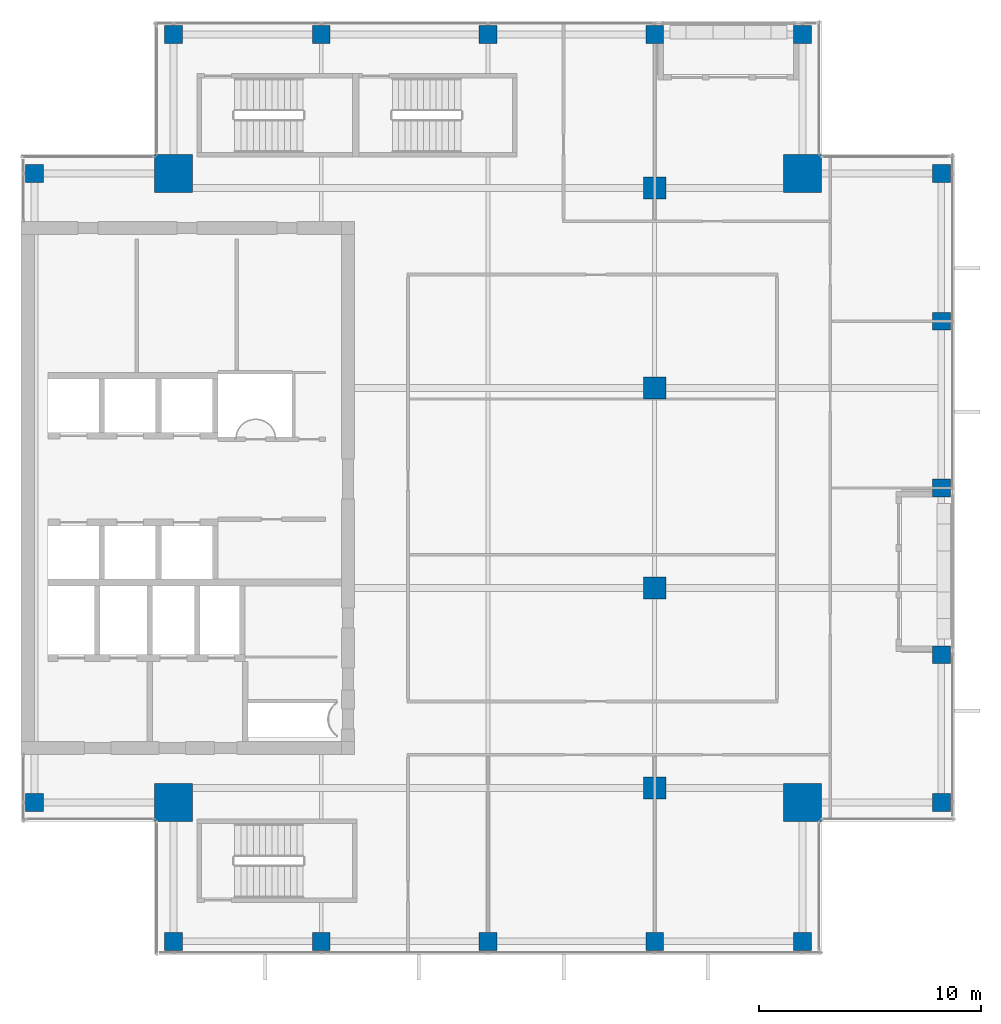
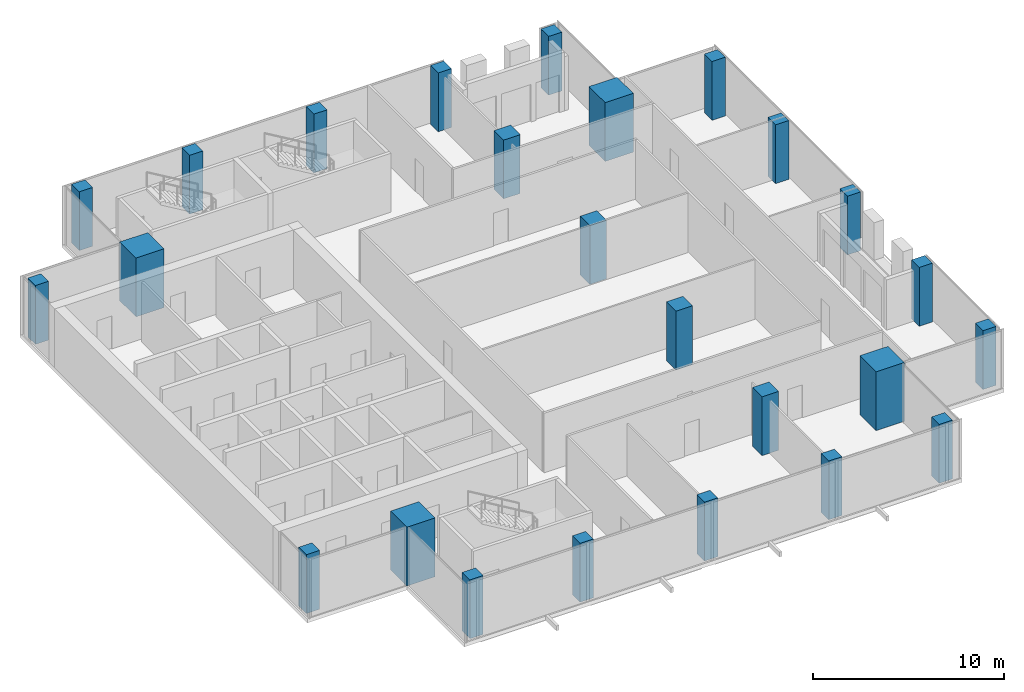
# One storey, part 1 of 29: 25 columns.
"""IFC4 building model written with IfcOpenShell, lengths in metres."""

import ifcopenshell
import ifcopenshell.guid

model = None  # the IFC model being written
_history = None  # IfcOwnerHistory: only IFC2X3 demands one
_inside = {}  # id of a spatial element -> (the spatial element, [elements in it])
_under = {}  # id of a project, library or spatial element -> (it, [spatial elements below it])
_declared = {}  # id of a project -> (the project, [libraries it declares])
_typed = {}  # id of a type object -> (the type object, [elements of that type])
_made_of = {}  # id of a material, layer set ... -> (it, [elements and type objects made of it])


def new_model(schema):
    """Start an empty IFC model of exactly this schema.

    Asked for "IFC4X3", IfcOpenShell would pick the latest addendum, in which some entities
    have other attributes; the version numbers below select the first issue.
    IFC2X3 requires an IfcOwnerHistory on every rooted entity: one is made here for all.
    """
    global model, _history
    if schema == "IFC4X3":
        model = ifcopenshell.file(schema_version=(4, 3, 0, 0))
    else:
        model = ifcopenshell.file(schema=schema)
    _inside.clear()
    _under.clear()
    _declared.clear()
    _typed.clear()
    _made_of.clear()
    _history = None
    if model.schema == "IFC2X3":
        org = make("IfcOrganization", Name="unknown")
        user = make(
            "IfcPersonAndOrganization",
            ThePerson=make("IfcPerson", FamilyName="unknown"),
            TheOrganization=org,
        )
        app = make(
            "IfcApplication",
            ApplicationDeveloper=org,
            Version="unknown",
            ApplicationFullName="unknown",
            ApplicationIdentifier="unknown",
        )
        _history = make(
            "IfcOwnerHistory",
            OwningUser=user,
            OwningApplication=app,
            ChangeAction="ADDED",
            CreationDate=0,
        )
    return model


def make(cls, **values):
    """One entity of the class cls with the attributes given. An attribute that is None is left unset."""
    return model.create_entity(
        cls, **{name: value for name, value in values.items() if value is not None}
    )


def rooted(cls, **values):
    """An entity with a GlobalId (a new one), such as an element, a storey or a relation."""
    return make(cls, GlobalId=ifcopenshell.guid.new(), OwnerHistory=_history, **values)


def si_unit(unit_type, name, prefix=None):
    """IfcSIUnit, for example si_unit("LENGTHUNIT", "METRE", prefix="MILLI")."""
    return make("IfcSIUnit", UnitType=unit_type, Prefix=prefix, Name=name)


def assignment(units):
    """IfcUnitAssignment: the units of a project."""
    return None if units is None else make("IfcUnitAssignment", Units=units)


def point(xyz):
    """IfcCartesianPoint."""
    return None if xyz is None else make("IfcCartesianPoint", Coordinates=xyz)


def direction(xyz):
    """IfcDirection."""
    return None if xyz is None else make("IfcDirection", DirectionRatios=xyz)


def frame(location, z_axis=None, x_axis=None):
    """IfcAxis2Placement3D, a coordinate frame: its origin and axes. An axis left out is left unset."""
    return make(
        "IfcAxis2Placement3D",
        Location=point(location),
        Axis=direction(z_axis),
        RefDirection=direction(x_axis),
    )


def frame_2d(location, x_axis=None):
    """IfcAxis2Placement2D, a coordinate frame in the plane: its origin and x axis."""
    return make(
        "IfcAxis2Placement2D", Location=point(location), RefDirection=direction(x_axis)
    )


def origin():
    """The frame at (0, 0, 0) with its axes left unset."""
    return frame((0.0, 0.0, 0.0))


def origin_2d():
    """The frame at (0, 0) in the plane with its x axis left unset."""
    return frame_2d((0.0, 0.0))


def place(relative_to, where):
    """IfcLocalPlacement: puts the frame where relative to a parent placement (None: the world)."""
    return make(
        "IfcLocalPlacement", PlacementRelTo=relative_to, RelativePlacement=where
    )


def context(
    kind, dimensions, precision=None, world=None, true_north=None, identifier=None
):
    """IfcGeometricRepresentationContext, for example the 3D "Model" context."""
    return make(
        "IfcGeometricRepresentationContext",
        ContextIdentifier=identifier,
        ContextType=kind,
        CoordinateSpaceDimension=dimensions,
        Precision=precision,
        WorldCoordinateSystem=world,
        TrueNorth=true_north,
    )


def subcontext(parent, identifier, kind, view, scale=None):
    """IfcGeometricRepresentationSubContext, for example "Body" below "Model"."""
    return make(
        "IfcGeometricRepresentationSubContext",
        ContextIdentifier=identifier,
        ContextType=kind,
        ParentContext=parent,
        TargetScale=scale,
        TargetView=view,
    )


def project(units=None, contexts=None):
    """IfcProject with its units and contexts."""
    return rooted(
        "IfcProject",
        Name="project",
        RepresentationContexts=contexts,
        UnitsInContext=assignment(units),
    )


def spatial(cls, under=None, at=None, **own):
    """A site, building, storey or space (cls), placed at a placement, below another one or the project."""
    s = rooted(cls, ObjectPlacement=at, **own)
    if under is not None:
        _under.setdefault(under.id(), (under, []))[1].append(s)
    return s


def profile(cls, at=None, kind="AREA", **sizes):
    """A parametric profile (cls). Its sizes go by their IFC names, for example OverallWidth=200.0."""
    return make(cls, ProfileType=kind, Position=at, **sizes)


def rectangle(**sizes):
    """IfcRectangleProfileDef."""
    return profile("IfcRectangleProfileDef", **sizes)


def extrude(swept, where, along, depth):
    """IfcExtrudedAreaSolid: the profile swept, set in the frame where, extruded along a direction by depth."""
    return make(
        "IfcExtrudedAreaSolid",
        SweptArea=swept,
        Position=where,
        ExtrudedDirection=direction(along),
        Depth=depth,
    )


def shape(context_of_items, identifier, shape_type, items):
    """IfcShapeRepresentation: the items that make up one representation, for example the "Body"."""
    return make(
        "IfcShapeRepresentation",
        ContextOfItems=context_of_items,
        RepresentationIdentifier=identifier,
        RepresentationType=shape_type,
        Items=items,
    )


def source(mapping_origin, context_of_items, identifier, shape_type, items):
    """IfcRepresentationMap: a shape defined once, which mapped items show again and again."""
    return make(
        "IfcRepresentationMap",
        MappingOrigin=mapping_origin,
        MappedRepresentation=shape(context_of_items, identifier, shape_type, items),
    )


def transform(
    local_origin,
    x_axis=None,
    y_axis=None,
    z_axis=None,
    scale=None,
    scale2=None,
    scale3=None,
    uniform=True,
):
    """IfcCartesianTransformationOperator3D, or its non-uniform kind. x_axis, y_axis, z_axis: its Axis1, 2, 3."""
    if uniform:
        return make(
            "IfcCartesianTransformationOperator3D",
            Axis1=direction(x_axis),
            Axis2=direction(y_axis),
            LocalOrigin=point(local_origin),
            Scale=scale,
            Axis3=direction(z_axis),
        )
    return make(
        "IfcCartesianTransformationOperator3DnonUniform",
        Axis1=direction(x_axis),
        Axis2=direction(y_axis),
        LocalOrigin=point(local_origin),
        Scale=scale,
        Axis3=direction(z_axis),
        Scale2=scale2,
        Scale3=scale3,
    )


def mapped(mapping_source, mapping_target):
    """IfcMappedItem: shows the shape of a source again, moved by a transform."""
    return make(
        "IfcMappedItem", MappingSource=mapping_source, MappingTarget=mapping_target
    )


def material(Name=None, Category=None):
    """IfcMaterial."""
    return make("IfcMaterial", Name=Name, Category=Category)


def material_profile(
    of_material, cross_section, Name=None, Category=None, Priority=None
):
    """IfcMaterialProfile: a cross section and its material."""
    return make(
        "IfcMaterialProfile",
        Name=Name,
        Material=of_material,
        Profile=cross_section,
        Priority=Priority,
        Category=Category,
    )


def profile_set(profiles, Name=None, composite=None):
    """IfcMaterialProfileSet."""
    return make(
        "IfcMaterialProfileSet",
        Name=Name,
        MaterialProfiles=profiles,
        CompositeProfile=composite,
    )


def made_of(thing, what):
    """Note that an element or type object is made of a material, layer set ...; save() writes the relation."""
    if what is not None:
        _made_of.setdefault(what.id(), (what, []))[1].append(thing)
    return thing


def type_object(cls, material=None, **own):
    """A type object (cls), such as IfcWallType, which elements share."""
    return made_of(rooted(cls, **own), material)


def element(
    cls,
    number,
    at=None,
    inside=None,
    cuts=None,
    type_object=None,
    material=None,
    context=None,
    identifier="Body",
    shape_type=None,
    held_by="IfcProductDefinitionShape",
    body=None,
    shapes=None,
    **own,
):
    """One element of the class cls, such as IfcWall. Its Tag is "e" and its number.

    at: its placement. inside: the storey or other place that contains it. cuts: it is an
    opening in that element (IfcRelVoidsElement). A single representation is given by context,
    identifier, shape_type and body (its items); several are given by shapes. held_by: the class
    of the entity that holds the representations. save() writes the other relations.
    """
    e = rooted(cls, Tag="e%d" % number, ObjectPlacement=at, **own)
    if body is not None:
        shapes = [shape(context, identifier, shape_type, body)]
    if shapes is not None:
        e.Representation = make(held_by, Representations=shapes)
    if inside is not None:
        _inside.setdefault(inside.id(), (inside, []))[1].append(e)
    if cuts is not None:
        rooted(
            "IfcRelVoidsElement", RelatingBuildingElement=cuts, RelatedOpeningElement=e
        )
    if type_object is not None:
        _typed.setdefault(type_object.id(), (type_object, []))[1].append(e)
    return made_of(e, material)


def aggregate(whole, parts):
    """IfcRelAggregates: a whole, such as a stair, and the parts it consists of."""
    return rooted("IfcRelAggregates", RelatingObject=whole, RelatedObjects=parts)


def save(model, path):
    """Write the relations noted so far, then the file.

    IfcRelAggregates (storeys below a building ...), IfcRelContainedInSpatialStructure (elements
    in a storey), IfcRelDefinesByType, IfcRelAssociatesMaterial and IfcRelDeclares: one each for
    every whole, place, type object, material and project.
    """
    for whole, parts in _under.values():
        aggregate(whole, parts)
    for where, things in _inside.values():
        rooted(
            "IfcRelContainedInSpatialStructure",
            RelatedElements=things,
            RelatingStructure=where,
        )
    for kind, things in _typed.values():
        rooted("IfcRelDefinesByType", RelatedObjects=things, RelatingType=kind)
    for what, things in _made_of.values():
        rooted("IfcRelAssociatesMaterial", RelatedObjects=things, RelatingMaterial=what)
    for by, libraries in _declared.values():
        rooted("IfcRelDeclares", RelatingContext=by, RelatedDefinitions=libraries)
    model.write(path)


model = new_model("IFC4")

# Units and contexts
model_context = context("Model", 3, precision=1e-05, world=origin(), true_north=direction((0.0, 1.0)))
body_context = subcontext(model_context, "Body", "Model", "MODEL_VIEW")
ifc_project = project(units=[si_unit("LENGTHUNIT", "METRE"), si_unit("AREAUNIT", "SQUARE_METRE"), si_unit("VOLUMEUNIT", "CUBIC_METRE"), si_unit("PLANEANGLEUNIT", "RADIAN"), si_unit("MASSUNIT", "GRAM", prefix="KILO")], contexts=[model_context])

# Site, building, storey
site_placement = place(None, origin())
site = spatial("IfcSite", under=ifc_project, at=site_placement, CompositionType="ELEMENT")
building_placement = place(site_placement, origin())
building = spatial("IfcBuilding", under=site, at=building_placement, Name="Khomas Fold Tower", CompositionType="ELEMENT")
storey_placement = place(building_placement, frame((0.0, 0.0, 286.199951171875)))
storey = spatial("IfcBuildingStorey", under=building, at=storey_placement, Name="L64", CompositionType="ELEMENT", Elevation=286.199951171875)

# Columns
ifc_material_1 = material(Name="Concrete C50/60", Category="concrete")
ifc_material_profile_1 = material_profile(ifc_material_1, rectangle(XDim=1.0, YDim=1.0, at=origin_2d()), Name="RC 1000x1000")
ifc_profile_set_1 = profile_set([ifc_material_profile_1], Name="Concrete C50/60")
column_type_1 = type_object("IfcColumnType", Name="RC 1000x1000 column", PredefinedType="COLUMN", material=ifc_profile_set_1)
shared_shape_1 = source(origin(), body_context, "Body", "SweptSolid", [
    extrude(rectangle(XDim=1.0, YDim=1.0, at=origin_2d()), origin(), (0.0, 0.0, 1.0), 3.75),
])
for number, where, z_axis, x_axis, name in (
    (1, (34.5, 13.5, 0.0), (0.0, 0.0, 1.0), (1.0, 0.0, 0.0), "C-10-H"),
    (2, (34.5, 22.5, 0.0), (0.0, 0.0, 1.0), (1.0, 0.0, 0.0), "C-10-K"),
    (3, (34.5, 31.5, 0.0), (0.0, 0.0, 1.0), (1.0, 0.0, 0.0), "C-10-M"),
    (4, (34.5, 40.5, 0.0), (0.0, 0.0, 1.0), (1.0, 0.0, 0.0), "C-10-P"),
):
    element("IfcColumn", number, at=place(storey_placement, frame(where, z_axis=z_axis, x_axis=x_axis)), inside=storey, type_object=column_type_1, Name=name, PredefinedType="COLUMN", context=body_context, shape_type="MappedRepresentation", body=[
        mapped(shared_shape_1, transform((0.0, 0.0, 0.0))),
    ])
ifc_material_2 = material(Name="Concrete C60/75", Category="concrete")
ifc_material_profile_2 = material_profile(ifc_material_2, rectangle(XDim=1.699951171875, YDim=1.699951171875, at=origin_2d()), Name="RC 1700x1700")
ifc_profile_set_2 = profile_set([ifc_material_profile_2], Name="Concrete C60/75")
column_type_2 = type_object("IfcColumnType", Name="RC 1700x1700 column", PredefinedType="COLUMN", material=ifc_profile_set_2)
shared_shape_2 = source(origin(), body_context, "Body", "SweptSolid", [
    extrude(rectangle(XDim=1.699951171875, YDim=1.699951171875, at=origin_2d()), origin(), (0.0, 0.0, 1.0), 3.75),
])
for number, where, z_axis, x_axis, name in (
    (5, (41.14990234375, 41.14990234375, 0.0), (0.0, 0.0, 1.0), (1.0, 0.0, 0.0), "CM-NE"),
    (6, (12.85009765625, 41.14990234375, 0.0), (0.0, 0.0, 1.0), (1.0, 0.0, 0.0), "CM-NW"),
    (7, (41.14990234375, 12.85009765625, 0.0), (0.0, 0.0, 1.0), (1.0, 0.0, 0.0), "CM-SE"),
    (8, (12.85009765625, 12.85009765625, 0.0), (0.0, 0.0, 1.0), (1.0, 0.0, 0.0), "CM-SW"),
):
    element("IfcColumn", number, at=place(storey_placement, frame(where, z_axis=z_axis, x_axis=x_axis)), inside=storey, type_object=column_type_2, Name=name, PredefinedType="COLUMN", context=body_context, shape_type="MappedRepresentation", body=[
        mapped(shared_shape_2, transform((0.0, 0.0, 0.0))),
    ])
ifc_material_3 = material(Name="Concrete C50/60", Category="concrete")
ifc_material_profile_3 = material_profile(ifc_material_3, rectangle(XDim=0.800048828125, YDim=0.800048828125, at=origin_2d()), Name="RC 800x800")
ifc_profile_set_3 = profile_set([ifc_material_profile_3], Name="Concrete C50/60")
column_type_3 = type_object("IfcColumnType", Name="RC 800x800 column", PredefinedType="COLUMN", material=ifc_profile_set_3)
shared_shape_3 = source(origin(), body_context, "Body", "SweptSolid", [
    extrude(rectangle(XDim=0.800048828125, YDim=0.800048828125, at=origin_2d()), origin(), (0.0, 0.0, 1.0), 3.75),
])
for number, where, z_axis, x_axis, name in (
    (9, (12.85009765625, 6.60009765625, 0.0), (0.0, 0.0, 1.0), (1.0, 0.0, 0.0), "C-7-SF5"),
    (10, (19.5, 6.60009765625, 0.0), (0.0, 0.0, 1.0), (1.0, 0.0, 0.0), "C-8-SF5"),
    (11, (27.0, 6.60009765625, 0.0), (0.0, 0.0, 1.0), (1.0, 0.0, 0.0), "C-9-SF5"),
    (12, (34.5, 6.60009765625, 0.0), (0.0, 0.0, 1.0), (1.0, 0.0, 0.0), "C-10-SF5"),
    (13, (41.14990234375, 6.60009765625, 0.0), (0.0, 0.0, 1.0), (1.0, 0.0, 0.0), "C-12-SF5"),
    (14, (47.39990234375, 12.85009765625, 0.0), (0.0, 0.0, 1.0), (1.0, 0.0, 0.0), "C-E5-G"),
    (15, (47.39990234375, 19.5, 0.0), (0.0, 0.0, 1.0), (1.0, 0.0, 0.0), "C-E5-J"),
    (16, (47.39990234375, 27.0, 0.0), (0.0, 0.0, 1.0), (1.0, 0.0, 0.0), "C-E5-L"),
    (17, (47.39990234375, 34.5, 0.0), (0.0, 0.0, 1.0), (1.0, 0.0, 0.0), "C-E5-N"),
    (18, (47.39990234375, 41.14990234375, 0.0), (0.0, 0.0, 1.0), (1.0, 0.0, 0.0), "C-E5-Q"),
    (19, (12.85009765625, 47.39990234375, 0.0), (0.0, 0.0, 1.0), (1.0, 0.0, 0.0), "C-7-NF5"),
    (20, (19.5, 47.39990234375, 0.0), (0.0, 0.0, 1.0), (1.0, 0.0, 0.0), "C-8-NF5"),
    (21, (27.0, 47.39990234375, 0.0), (0.0, 0.0, 1.0), (1.0, 0.0, 0.0), "C-9-NF5"),
    (22, (34.5, 47.39990234375, 0.0), (0.0, 0.0, 1.0), (1.0, 0.0, 0.0), "C-10-NF5"),
    (23, (41.14990234375, 47.39990234375, 0.0), (0.0, 0.0, 1.0), (1.0, 0.0, 0.0), "C-12-NF5"),
    (24, (6.60009765625, 12.85009765625, 0.0), (0.0, 0.0, 1.0), (1.0, 0.0, 0.0), "C-W5-G"),
    (25, (6.60009765625, 41.14990234375, 0.0), (0.0, 0.0, 1.0), (1.0, 0.0, 0.0), "C-W5-Q"),
):
    element("IfcColumn", number, at=place(storey_placement, frame(where, z_axis=z_axis, x_axis=x_axis)), inside=storey, type_object=column_type_3, Name=name, PredefinedType="COLUMN", context=body_context, shape_type="MappedRepresentation", body=[
        mapped(shared_shape_3, transform((0.0, 0.0, 0.0))),
    ])

save(model, "model.ifc")
